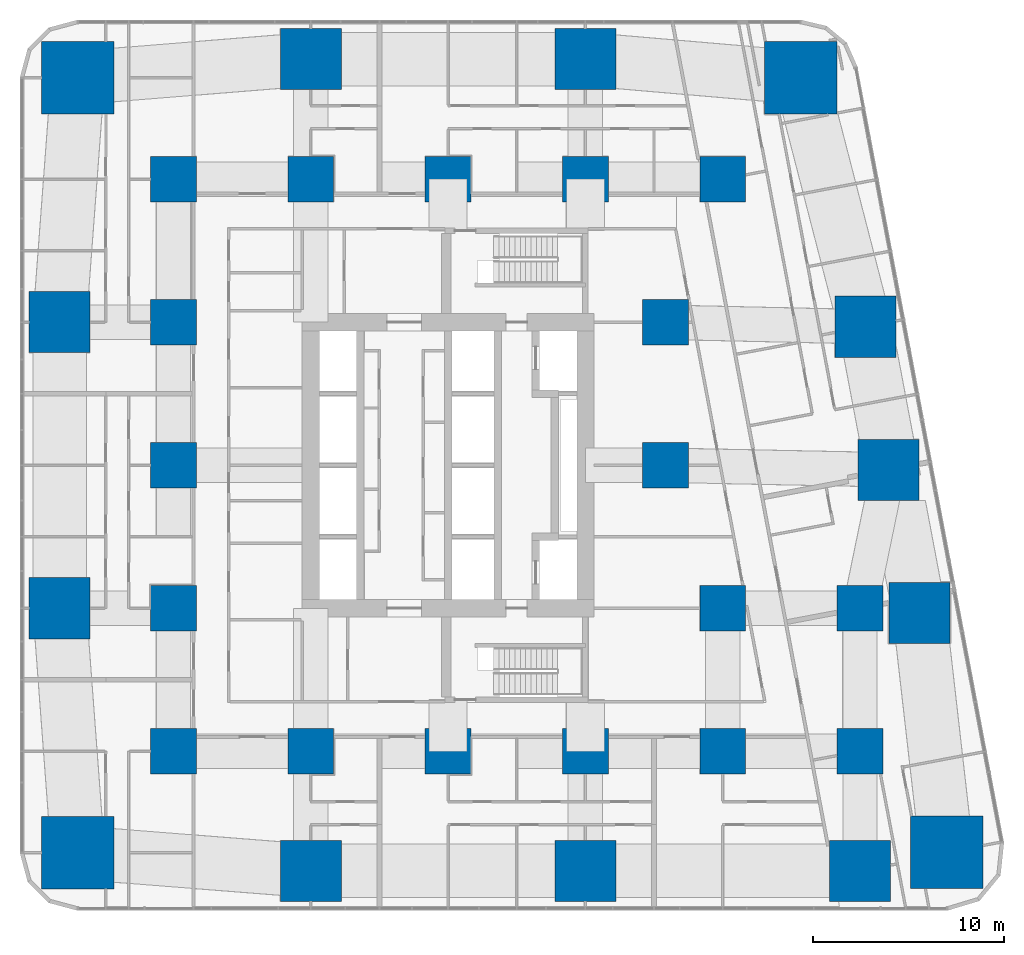
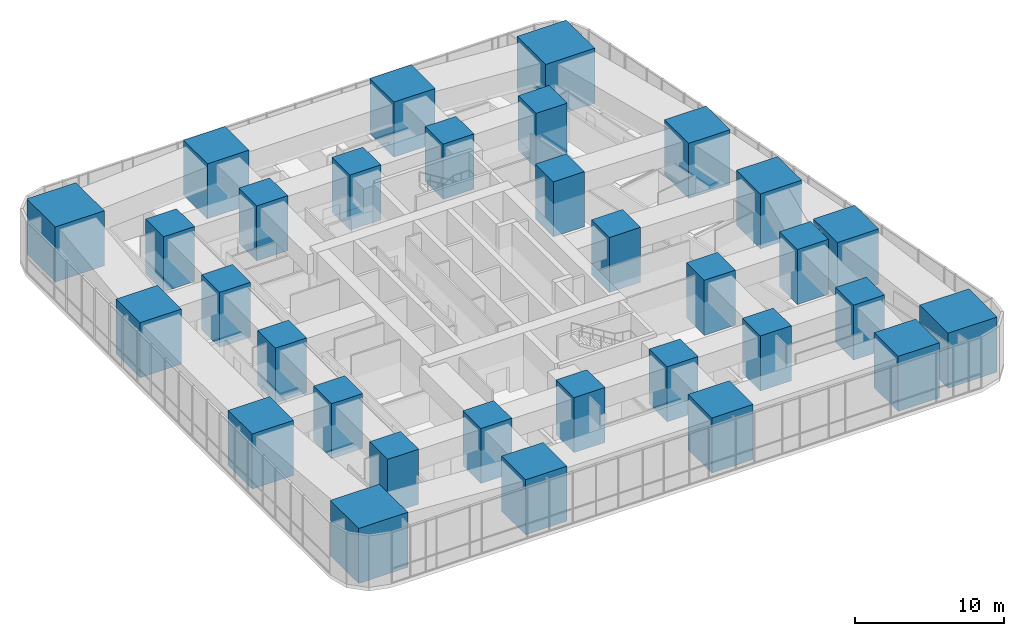
# One storey, part 1 of 23: 32 columns.
"""IFC4 building model written with IfcOpenShell, lengths in metres."""

import ifcopenshell
import ifcopenshell.guid

model = None  # the IFC model being written
_history = None  # IfcOwnerHistory: only IFC2X3 demands one
_inside = {}  # id of a spatial element -> (the spatial element, [elements in it])
_under = {}  # id of a project, library or spatial element -> (it, [spatial elements below it])
_declared = {}  # id of a project -> (the project, [libraries it declares])
_typed = {}  # id of a type object -> (the type object, [elements of that type])
_made_of = {}  # id of a material, layer set ... -> (it, [elements and type objects made of it])


def new_model(schema):
    """Start an empty IFC model of exactly this schema.

    Asked for "IFC4X3", IfcOpenShell would pick the latest addendum, in which some entities
    have other attributes; the version numbers below select the first issue.
    IFC2X3 requires an IfcOwnerHistory on every rooted entity: one is made here for all.
    """
    global model, _history
    if schema == "IFC4X3":
        model = ifcopenshell.file(schema_version=(4, 3, 0, 0))
    else:
        model = ifcopenshell.file(schema=schema)
    _inside.clear()
    _under.clear()
    _declared.clear()
    _typed.clear()
    _made_of.clear()
    _history = None
    if model.schema == "IFC2X3":
        org = make("IfcOrganization", Name="unknown")
        user = make(
            "IfcPersonAndOrganization",
            ThePerson=make("IfcPerson", FamilyName="unknown"),
            TheOrganization=org,
        )
        app = make(
            "IfcApplication",
            ApplicationDeveloper=org,
            Version="unknown",
            ApplicationFullName="unknown",
            ApplicationIdentifier="unknown",
        )
        _history = make(
            "IfcOwnerHistory",
            OwningUser=user,
            OwningApplication=app,
            ChangeAction="ADDED",
            CreationDate=0,
        )
    return model


def make(cls, **values):
    """One entity of the class cls with the attributes given. An attribute that is None is left unset."""
    return model.create_entity(
        cls, **{name: value for name, value in values.items() if value is not None}
    )


def rooted(cls, **values):
    """An entity with a GlobalId (a new one), such as an element, a storey or a relation."""
    return make(cls, GlobalId=ifcopenshell.guid.new(), OwnerHistory=_history, **values)


def si_unit(unit_type, name, prefix=None):
    """IfcSIUnit, for example si_unit("LENGTHUNIT", "METRE", prefix="MILLI")."""
    return make("IfcSIUnit", UnitType=unit_type, Prefix=prefix, Name=name)


def assignment(units):
    """IfcUnitAssignment: the units of a project."""
    return None if units is None else make("IfcUnitAssignment", Units=units)


def point(xyz):
    """IfcCartesianPoint."""
    return None if xyz is None else make("IfcCartesianPoint", Coordinates=xyz)


def direction(xyz):
    """IfcDirection."""
    return None if xyz is None else make("IfcDirection", DirectionRatios=xyz)


def frame(location, z_axis=None, x_axis=None):
    """IfcAxis2Placement3D, a coordinate frame: its origin and axes. An axis left out is left unset."""
    return make(
        "IfcAxis2Placement3D",
        Location=point(location),
        Axis=direction(z_axis),
        RefDirection=direction(x_axis),
    )


def frame_2d(location, x_axis=None):
    """IfcAxis2Placement2D, a coordinate frame in the plane: its origin and x axis."""
    return make(
        "IfcAxis2Placement2D", Location=point(location), RefDirection=direction(x_axis)
    )


def origin():
    """The frame at (0, 0, 0) with its axes left unset."""
    return frame((0.0, 0.0, 0.0))


def origin_2d():
    """The frame at (0, 0) in the plane with its x axis left unset."""
    return frame_2d((0.0, 0.0))


def place(relative_to, where):
    """IfcLocalPlacement: puts the frame where relative to a parent placement (None: the world)."""
    return make(
        "IfcLocalPlacement", PlacementRelTo=relative_to, RelativePlacement=where
    )


def context(
    kind, dimensions, precision=None, world=None, true_north=None, identifier=None
):
    """IfcGeometricRepresentationContext, for example the 3D "Model" context."""
    return make(
        "IfcGeometricRepresentationContext",
        ContextIdentifier=identifier,
        ContextType=kind,
        CoordinateSpaceDimension=dimensions,
        Precision=precision,
        WorldCoordinateSystem=world,
        TrueNorth=true_north,
    )


def subcontext(parent, identifier, kind, view, scale=None):
    """IfcGeometricRepresentationSubContext, for example "Body" below "Model"."""
    return make(
        "IfcGeometricRepresentationSubContext",
        ContextIdentifier=identifier,
        ContextType=kind,
        ParentContext=parent,
        TargetScale=scale,
        TargetView=view,
    )


def project(units=None, contexts=None):
    """IfcProject with its units and contexts."""
    return rooted(
        "IfcProject",
        Name="project",
        RepresentationContexts=contexts,
        UnitsInContext=assignment(units),
    )


def spatial(cls, under=None, at=None, **own):
    """A site, building, storey or space (cls), placed at a placement, below another one or the project."""
    s = rooted(cls, ObjectPlacement=at, **own)
    if under is not None:
        _under.setdefault(under.id(), (under, []))[1].append(s)
    return s


def profile(cls, at=None, kind="AREA", **sizes):
    """A parametric profile (cls). Its sizes go by their IFC names, for example OverallWidth=200.0."""
    return make(cls, ProfileType=kind, Position=at, **sizes)


def rectangle(**sizes):
    """IfcRectangleProfileDef."""
    return profile("IfcRectangleProfileDef", **sizes)


def extrude(swept, where, along, depth):
    """IfcExtrudedAreaSolid: the profile swept, set in the frame where, extruded along a direction by depth."""
    return make(
        "IfcExtrudedAreaSolid",
        SweptArea=swept,
        Position=where,
        ExtrudedDirection=direction(along),
        Depth=depth,
    )


def shape(context_of_items, identifier, shape_type, items):
    """IfcShapeRepresentation: the items that make up one representation, for example the "Body"."""
    return make(
        "IfcShapeRepresentation",
        ContextOfItems=context_of_items,
        RepresentationIdentifier=identifier,
        RepresentationType=shape_type,
        Items=items,
    )


def material(Name=None, Category=None):
    """IfcMaterial."""
    return make("IfcMaterial", Name=Name, Category=Category)


def material_profile(
    of_material, cross_section, Name=None, Category=None, Priority=None
):
    """IfcMaterialProfile: a cross section and its material."""
    return make(
        "IfcMaterialProfile",
        Name=Name,
        Material=of_material,
        Profile=cross_section,
        Priority=Priority,
        Category=Category,
    )


def profile_set(profiles, Name=None, composite=None):
    """IfcMaterialProfileSet."""
    return make(
        "IfcMaterialProfileSet",
        Name=Name,
        MaterialProfiles=profiles,
        CompositeProfile=composite,
    )


def made_of(thing, what):
    """Note that an element or type object is made of a material, layer set ...; save() writes the relation."""
    if what is not None:
        _made_of.setdefault(what.id(), (what, []))[1].append(thing)
    return thing


def type_object(cls, material=None, **own):
    """A type object (cls), such as IfcWallType, which elements share."""
    return made_of(rooted(cls, **own), material)


def element(
    cls,
    number,
    at=None,
    inside=None,
    cuts=None,
    type_object=None,
    material=None,
    context=None,
    identifier="Body",
    shape_type=None,
    held_by="IfcProductDefinitionShape",
    body=None,
    shapes=None,
    **own,
):
    """One element of the class cls, such as IfcWall. Its Tag is "e" and its number.

    at: its placement. inside: the storey or other place that contains it. cuts: it is an
    opening in that element (IfcRelVoidsElement). A single representation is given by context,
    identifier, shape_type and body (its items); several are given by shapes. held_by: the class
    of the entity that holds the representations. save() writes the other relations.
    """
    e = rooted(cls, Tag="e%d" % number, ObjectPlacement=at, **own)
    if body is not None:
        shapes = [shape(context, identifier, shape_type, body)]
    if shapes is not None:
        e.Representation = make(held_by, Representations=shapes)
    if inside is not None:
        _inside.setdefault(inside.id(), (inside, []))[1].append(e)
    if cuts is not None:
        rooted(
            "IfcRelVoidsElement", RelatingBuildingElement=cuts, RelatedOpeningElement=e
        )
    if type_object is not None:
        _typed.setdefault(type_object.id(), (type_object, []))[1].append(e)
    return made_of(e, material)


def aggregate(whole, parts):
    """IfcRelAggregates: a whole, such as a stair, and the parts it consists of."""
    return rooted("IfcRelAggregates", RelatingObject=whole, RelatedObjects=parts)


def save(model, path):
    """Write the relations noted so far, then the file.

    IfcRelAggregates (storeys below a building ...), IfcRelContainedInSpatialStructure (elements
    in a storey), IfcRelDefinesByType, IfcRelAssociatesMaterial and IfcRelDeclares: one each for
    every whole, place, type object, material and project.
    """
    for whole, parts in _under.values():
        aggregate(whole, parts)
    for where, things in _inside.values():
        rooted(
            "IfcRelContainedInSpatialStructure",
            RelatedElements=things,
            RelatingStructure=where,
        )
    for kind, things in _typed.values():
        rooted("IfcRelDefinesByType", RelatedObjects=things, RelatingType=kind)
    for what, things in _made_of.values():
        rooted("IfcRelAssociatesMaterial", RelatedObjects=things, RelatingMaterial=what)
    for by, libraries in _declared.values():
        rooted("IfcRelDeclares", RelatingContext=by, RelatedDefinitions=libraries)
    model.write(path)


model = new_model("IFC4")

# Units and contexts
model_context = context("Model", 3, precision=1e-05, world=origin(), true_north=direction((0.0, 1.0)))
body_context = subcontext(model_context, "Body", "Model", "MODEL_VIEW")
ifc_project = project(units=[si_unit("LENGTHUNIT", "METRE"), si_unit("AREAUNIT", "SQUARE_METRE"), si_unit("VOLUMEUNIT", "CUBIC_METRE"), si_unit("PLANEANGLEUNIT", "RADIAN"), si_unit("MASSUNIT", "GRAM", prefix="KILO")], contexts=[model_context])

# Site, building, storey
site_placement = place(None, origin())
site = spatial("IfcSite", under=ifc_project, at=site_placement, CompositionType="ELEMENT")
building_placement = place(site_placement, origin())
building = spatial("IfcBuilding", under=site, at=building_placement, Name="Sheger Commons Tower", CompositionType="ELEMENT")
storey_placement = place(building_placement, frame((0.0, 0.0, 5.60009765625)))
storey = spatial("IfcBuildingStorey", under=building, at=storey_placement, Name="L01", CompositionType="ELEMENT", Elevation=5.60009765625)

# Columns
ifc_material_1 = material(Name="Concrete C50/60", Category="concrete")
ifc_material_profile_1 = material_profile(ifc_material_1, rectangle(XDim=2.39990234375, YDim=2.39990234375, at=origin_2d()), Name="RC 2400x2400")
ifc_profile_set_1 = profile_set([ifc_material_profile_1], Name="Concrete C50/60")
column_type_1 = type_object("IfcColumnType", Name="COLUMN RC 2400x2400", PredefinedType="COLUMN", material=ifc_profile_set_1)
for number, where, z_axis, x_axis, name in (
    (1, (7.199951171875, 7.5, 0.0), (0.0, 0.0, 1.0), (1.0, 0.0, 0.0), "Column 2/B L01"),
    (2, (14.39990234375, 7.5, 0.0), (0.0, 0.0, 1.0), (1.0, 0.0, 0.0), "Column 3/B L01"),
    (3, (21.60009765625, 7.5, 0.0), (0.0, 0.0, 1.0), (1.0, 0.0, 0.0), "Column 4/B L01"),
    (4, (28.800048828125, 7.5, 0.0), (0.0, 0.0, 1.0), (1.0, 0.0, 0.0), "Column 5/B L01"),
    (5, (36.0, 7.5, 0.0), (0.0, 0.0, 1.0), (1.0, 0.0, 0.0), "Column 6/B L01"),
    (6, (43.199951171875, 7.5, 0.0), (0.0, 0.0, 1.0), (1.0, 0.0, 0.0), "Column 7/B L01"),
    (7, (7.199951171875, 15.0, 0.0), (0.0, 0.0, 1.0), (1.0, 0.0, 0.0), "Column 2/C L01"),
    (8, (36.0, 15.0, 0.0), (0.0, 0.0, 1.0), (1.0, 0.0, 0.0), "Column 6/C L01"),
    (9, (43.199951171875, 15.0, 0.0), (0.0, 0.0, 1.0), (1.0, 0.0, 0.0), "Column 7/C L01"),
    (10, (7.199951171875, 22.5, 0.0), (0.0, 0.0, 1.0), (1.0, 0.0, 0.0), "Column 2/D L01"),
    (11, (33.0, 22.5, 0.0), (0.0, 0.0, 1.0), (1.0, 0.0, 0.0), "Column 6-3000/D L01"),
    (12, (7.199951171875, 30.0, 0.0), (0.0, 0.0, 1.0), (1.0, 0.0, 0.0), "Column 2/E L01"),
    (13, (33.0, 30.0, 0.0), (0.0, 0.0, 1.0), (1.0, 0.0, 0.0), "Column 6-3000/E L01"),
    (14, (7.199951171875, 37.5, 0.0), (0.0, 0.0, 1.0), (1.0, 0.0, 0.0), "Column 2/F L01"),
    (15, (14.39990234375, 37.5, 0.0), (0.0, 0.0, 1.0), (1.0, 0.0, 0.0), "Column 3/F L01"),
    (16, (21.60009765625, 37.5, 0.0), (0.0, 0.0, 1.0), (1.0, 0.0, 0.0), "Column 4/F L01"),
    (17, (28.800048828125, 37.5, 0.0), (0.0, 0.0, 1.0), (1.0, 0.0, 0.0), "Column 5/F L01"),
    (18, (36.0, 37.5, 0.0), (0.0, 0.0, 1.0), (1.0, 0.0, 0.0), "Column 6/F L01"),
):
    element("IfcColumn", number, at=place(storey_placement, frame(where, z_axis=z_axis, x_axis=x_axis)), inside=storey, type_object=column_type_1, Name=name, PredefinedType="COLUMN", context=body_context, shape_type="SweptSolid", body=[
        extrude(rectangle(XDim=2.39990234375, YDim=2.39990234375, at=origin_2d()), origin(), (0.0, 0.0, 1.0), 4.5),
    ])
ifc_material_2 = material(Name="Concrete C50/60", Category="concrete")
ifc_material_profile_2 = material_profile(ifc_material_2, rectangle(XDim=3.199951171875, YDim=3.199951171875, at=origin_2d()), Name="RC 3200x3200")
ifc_profile_set_2 = profile_set([ifc_material_profile_2], Name="Concrete C50/60")
column_type_2 = type_object("IfcColumnType", Name="COLUMN RC 3200x3200", PredefinedType="COLUMN", material=ifc_profile_set_2)
for number, where, z_axis, x_axis, name in (
    (19, (14.39990234375, 1.22509765625, 0.0), (0.0, 0.0, 1.0), (1.0, 0.0, 0.0), "Column 3/A L01"),
    (20, (28.800048828125, 1.22509765625, 0.0), (0.0, 0.0, 1.0), (1.0, 0.0, 0.0), "Column 5/A L01"),
    (21, (43.199951171875, 1.22509765625, 0.0), (0.0, 0.0, 1.0), (1.0, 0.0, 0.0), "Column 7/A L01"),
    (22, (1.22509765625, 15.0, 0.0), (0.0, 0.0, 1.0), (1.0, 0.0, 0.0), "Column 1/C L01"),
    (23, (46.31396484375, 14.762939453125, 0.0), (0.0, 0.0, 1.0), (1.0, 0.0, 0.0), "Column E/C L01"),
    (24, (44.697021484375, 22.262939453125, 0.0), (0.0, 0.0, 1.0), (1.0, 0.0, 0.0), "Column 7/D L01"),
    (25, (1.22509765625, 30.0, 0.0), (0.0, 0.0, 1.0), (1.0, 0.0, 0.0), "Column 1/E L01"),
    (26, (43.47998046875, 29.762939453125, 0.0), (0.0, 0.0, 1.0), (1.0, 0.0, 0.0), "Column E/E L01"),
    (27, (14.39990234375, 43.800048828125, 0.0), (0.0, 0.0, 1.0), (1.0, 0.0, 0.0), "Column 3/G L01"),
    (28, (28.800048828125, 43.800048828125, 0.0), (0.0, 0.0, 1.0), (1.0, 0.0, 0.0), "Column 5/G L01"),
):
    element("IfcColumn", number, at=place(storey_placement, frame(where, z_axis=z_axis, x_axis=x_axis)), inside=storey, type_object=column_type_2, Name=name, PredefinedType="COLUMN", context=body_context, shape_type="SweptSolid", body=[
        extrude(rectangle(XDim=3.199951171875, YDim=3.199951171875, at=origin_2d()), origin(), (0.0, 0.0, 1.0), 4.5),
    ])
ifc_material_3 = material(Name="Concrete C50/60", Category="concrete")
ifc_material_profile_3 = material_profile(ifc_material_3, rectangle(XDim=3.800048828125, YDim=3.800048828125, at=origin_2d()), Name="RC 3800x3800")
ifc_profile_set_3 = profile_set([ifc_material_profile_3], Name="Concrete C50/60")
column_type_3 = type_object("IfcColumnType", Name="COLUMN RC 3800x3800", PredefinedType="COLUMN", material=ifc_profile_set_3)
for number, where, z_axis, x_axis, name in (
    (29, (2.18603515625, 2.18603515625, 0.0), (0.0, 0.0, 1.0), (1.0, 0.0, 0.0), "Column 0.630,0.630 L01"),
    (30, (47.748046875, 2.197021484375, 0.0), (0.0, 0.0, 1.0), (1.0, 0.0, 0.0), "Column 49.461,0.778 L01"),
    (31, (2.18603515625, 42.81396484375, 0.0), (0.0, 0.0, 1.0), (1.0, 0.0, 0.0), "Column 0.630,44.370 L01"),
    (32, (40.10205078125, 42.830078125, 0.0), (0.0, 0.0, 1.0), (1.0, 0.0, 0.0), "Column 41.490,44.505 L01"),
):
    element("IfcColumn", number, at=place(storey_placement, frame(where, z_axis=z_axis, x_axis=x_axis)), inside=storey, type_object=column_type_3, Name=name, PredefinedType="COLUMN", context=body_context, shape_type="SweptSolid", body=[
        extrude(rectangle(XDim=3.800048828125, YDim=3.800048828125, at=origin_2d()), origin(), (0.0, 0.0, 1.0), 4.5),
    ])

save(model, "model.ifc")
